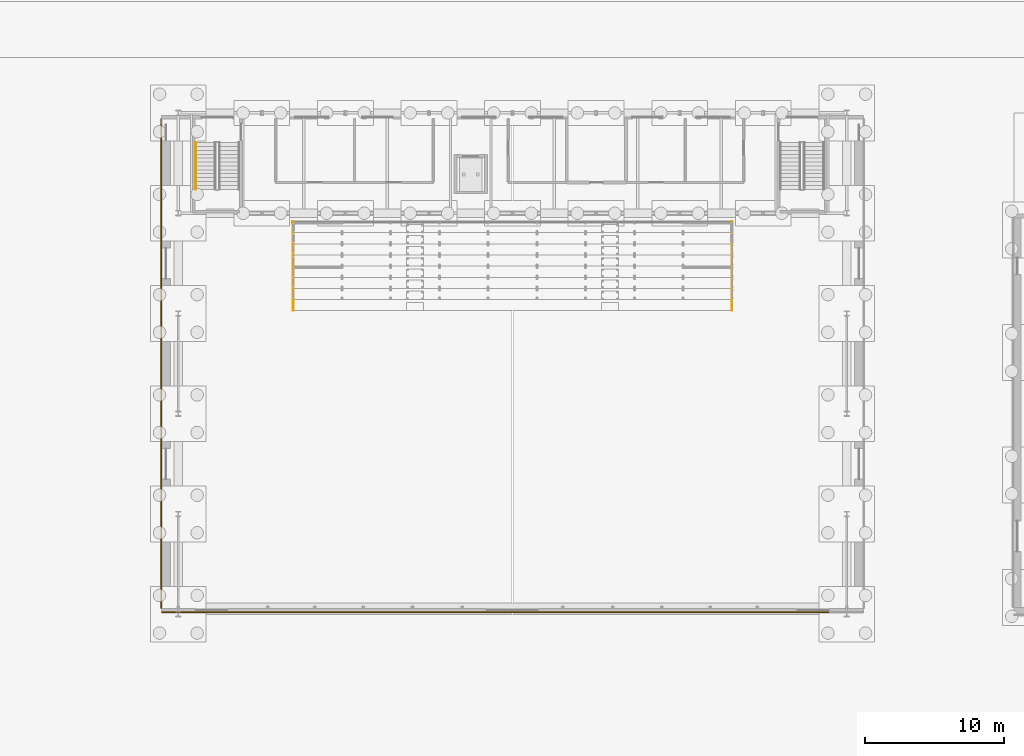
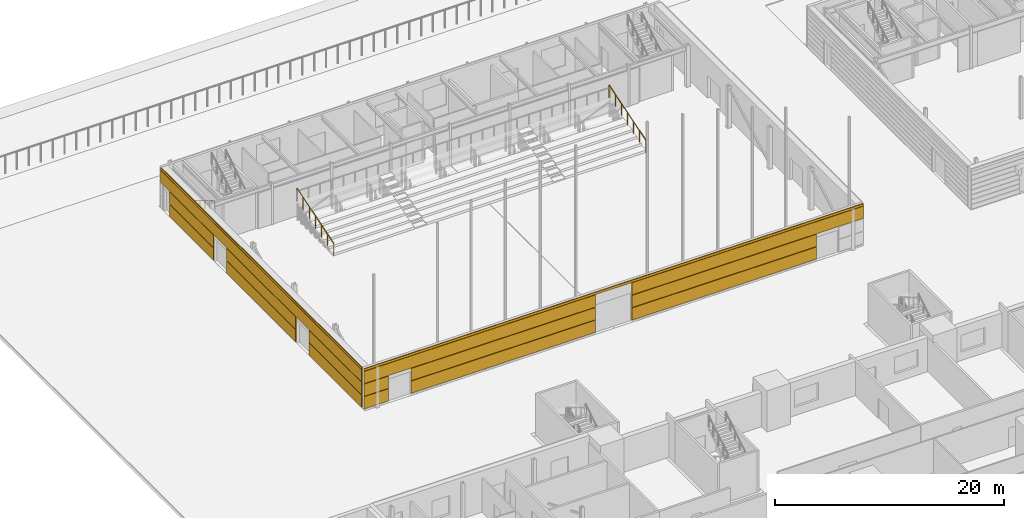
# One storey, part 122 of 139: 17 coverings, 3 railings.
"""IFC4 building model written with IfcOpenShell, lengths in metres."""

from ifc_helpers import new_model, si_unit, direction, frame, origin, origin_2d, place, context, subcontext, project, spatial, rectangle, circle, extrude, material, layer, layer_set, type_object, element, save


model = new_model("IFC4")

# Units and contexts
model_context = context("Model", 3, precision=1e-05, world=origin(), true_north=direction((0.0, 1.0)))
body_context = subcontext(model_context, "Body", "Model", "MODEL_VIEW")
ifc_project = project(units=[si_unit("LENGTHUNIT", "METRE"), si_unit("AREAUNIT", "SQUARE_METRE"), si_unit("VOLUMEUNIT", "CUBIC_METRE"), si_unit("PLANEANGLEUNIT", "RADIAN"), si_unit("MASSUNIT", "GRAM", prefix="KILO")], contexts=[model_context])

# Site, building, storey
site_placement = place(None, origin())
site = spatial("IfcSite", under=ifc_project, at=site_placement, CompositionType="ELEMENT")
building_placement = place(site_placement, origin())
building = spatial("IfcBuilding", under=site, at=building_placement, Name="Verrick Yard Athletic Hall", CompositionType="ELEMENT")
storey_placement = place(building_placement, origin())
storey = spatial("IfcBuildingStorey", under=building, at=storey_placement, Name="L00", CompositionType="ELEMENT", Elevation=0.0)

# Railings
ifc_material_1 = material(Name="Stainless steel 316", Category="steel")
railing_type_1 = type_object("IfcRailingType", Name="HB seating guard 1100", PredefinedType="GUARDRAIL", material=ifc_material_1)
for number, where, name in (
    (1, (36.25, 93.800048828125, 0.0), "HB-GD-RSB1-w"),
    (2, (67.75, 93.800048828125, 0.0), "HB-GD-RSB1-e"),
):
    element("IfcRailing", number, at=place(storey_placement, frame(where)), inside=storey, type_object=railing_type_1, Name=name, PredefinedType="GUARDRAIL", context=body_context, shape_type="SweptSolid", body=[
        extrude(circle(Radius=0.02392578125, at=origin_2d()), frame((0.0, 0.0, 1.326171875), z_axis=(0.0, 0.95447868226, 0.298279139585), x_axis=(-1.0, 0.0, 0.0)), (0.0, 0.0, 1.0), 6.705078125),
        extrude(circle(Radius=0.02099609375, at=origin_2d()), origin(), (0.0, 0.0, 1.0), 1.302001953125),
        extrude(circle(Radius=0.02099609375, at=origin_2d()), frame((0.0, 1.066650390625, 0.333251953125)), (0.0, 0.0, 1.0), 1.302001953125),
        extrude(circle(Radius=0.02099609375, at=origin_2d()), frame((0.0, 2.13330078125, 0.666748046875)), (0.0, 0.0, 1.0), 1.302001953125),
        extrude(circle(Radius=0.02099609375, at=origin_2d()), frame((0.0, 3.199951171875, 1.0)), (0.0, 0.0, 1.0), 1.302001953125),
        extrude(circle(Radius=0.02099609375, at=origin_2d()), frame((0.0, 4.2666015625, 1.333251953125)), (0.0, 0.0, 1.0), 1.302001953125),
        extrude(circle(Radius=0.02099609375, at=origin_2d()), frame((0.0, 5.333251953125, 1.666748046875)), (0.0, 0.0, 1.0), 1.302001953125),
        extrude(circle(Radius=0.02099609375, at=origin_2d()), frame((0.0, 6.39990234375, 2.0)), (0.0, 0.0, 1.0), 1.302001953125),
    ])
ifc_material_2 = material(Name="Stainless steel", Category="steel")
railing_type_2 = type_object("IfcRailingType", Name="Stair handrail 900", PredefinedType="HANDRAIL", material=ifc_material_2)
railing_placement = place(storey_placement, frame((29.25, 105.875, 0.169189453125)))
element("IfcRailing", 3, at=railing_placement, inside=storey, type_object=railing_type_2, Name="L00 Sports Hall B west band stair handrail 1", PredefinedType="HANDRAIL", context=body_context, shape_type="SweptSolid", body=[
    extrude(circle(Radius=0.02392578125, at=origin_2d()), frame((0.0, 0.0, 0.8759765625), z_axis=(0.0, -0.855836976705, 0.517245656632), x_axis=(1.0, 0.0, 0.0)), (0.0, 0.0, 1.0), 3.926025390625),
    extrude(circle(Radius=0.02099609375, at=origin_2d()), origin(), (0.0, 0.0, 1.0), 0.851806640625),
    extrude(circle(Radius=0.02099609375, at=origin_2d()), frame((0.0, -0.840087890625, 0.5078125)), (0.0, 0.0, 1.0), 0.851806640625),
    extrude(circle(Radius=0.02099609375, at=origin_2d()), frame((0.0, -1.68017578125, 1.015380859375)), (0.0, 0.0, 1.0), 0.851806640625),
    extrude(circle(Radius=0.02099609375, at=origin_2d()), frame((0.0, -2.52001953125, 1.52294921875)), (0.0, 0.0, 1.0), 0.851806640625),
    extrude(circle(Radius=0.02099609375, at=origin_2d()), frame((0.0, -3.360107421875, 2.03076171875)), (0.0, 0.0, 1.0), 0.851806640625),
])

# Coverings
ifc_material_3 = material(Name="Tyndall-stone-look precast cladding", Category="masonry")
ifc_layer_1 = layer(ifc_material_3, 0.125)
ifc_layer_set_1 = layer_set([ifc_layer_1], Name="Stone cladding")
covering_type_1 = type_object("IfcCoveringType", Name="Stone cladding", PredefinedType="CLADDING", material=ifc_layer_set_1)
covering_1_placement = place(storey_placement, frame((26.762451171875, 77.03466796875, 0.125), z_axis=(0.0, 0.0, 1.0), x_axis=(0.0, 1.0, 0.0)))
element("IfcCovering", 4, at=covering_1_placement, inside=storey, type_object=covering_type_1, Name="Hall base rustication", PredefinedType="CLADDING", context=body_context, shape_type="SweptSolid", body=[
    extrude(rectangle(XDim=9.232421875, YDim=0.074951171875, at=origin_2d()), origin(), (0.0, 0.0, 1.0), 1.300048828125),
])
covering_2_placement = place(storey_placement, frame((26.762451171875, 90.0009765625, 0.125), z_axis=(0.0, 0.0, 1.0), x_axis=(0.0, 1.0, 0.0)))
element("IfcCovering", 5, at=covering_2_placement, inside=storey, type_object=covering_type_1, Name="Hall base rustication", PredefinedType="CLADDING", context=body_context, shape_type="SweptSolid", body=[
    extrude(rectangle(XDim=12.10009765625, YDim=0.074951171875, at=origin_2d()), origin(), (0.0, 0.0, 1.0), 1.300048828125),
])
covering_3_placement = place(storey_placement, frame((26.762451171875, 102.17578125, 0.125), z_axis=(0.0, 0.0, 1.0), x_axis=(0.0, 1.0, 0.0)))
element("IfcCovering", 6, at=covering_3_placement, inside=storey, type_object=covering_type_1, Name="Hall base rustication", PredefinedType="CLADDING", context=body_context, shape_type="SweptSolid", body=[
    extrude(rectangle(XDim=7.64990234375, YDim=0.074951171875, at=origin_2d()), origin(), (0.0, 0.0, 1.0), 1.300048828125),
])
covering_4_placement = place(storey_placement, frame((26.762451171875, 77.03466796875, 1.47509765625), z_axis=(0.0, 0.0, 1.0), x_axis=(0.0, 1.0, 0.0)))
element("IfcCovering", 7, at=covering_4_placement, inside=storey, type_object=covering_type_1, Name="Hall base rustication", PredefinedType="CLADDING", context=body_context, shape_type="SweptSolid", body=[
    extrude(rectangle(XDim=9.232421875, YDim=0.074951171875, at=origin_2d()), origin(), (0.0, 0.0, 1.0), 1.300048828125),
])
covering_5_placement = place(storey_placement, frame((26.762451171875, 90.0009765625, 1.47509765625), z_axis=(0.0, 0.0, 1.0), x_axis=(0.0, 1.0, 0.0)))
element("IfcCovering", 8, at=covering_5_placement, inside=storey, type_object=covering_type_1, Name="Hall base rustication", PredefinedType="CLADDING", context=body_context, shape_type="SweptSolid", body=[
    extrude(rectangle(XDim=12.10009765625, YDim=0.074951171875, at=origin_2d()), origin(), (0.0, 0.0, 1.0), 1.300048828125),
])
covering_6_placement = place(storey_placement, frame((26.762451171875, 102.17578125, 1.47509765625), z_axis=(0.0, 0.0, 1.0), x_axis=(0.0, 1.0, 0.0)))
element("IfcCovering", 9, at=covering_6_placement, inside=storey, type_object=covering_type_1, Name="Hall base rustication", PredefinedType="CLADDING", context=body_context, shape_type="SweptSolid", body=[
    extrude(rectangle(XDim=7.64990234375, YDim=0.074951171875, at=origin_2d()), origin(), (0.0, 0.0, 1.0), 1.300048828125),
])
covering_7_placement = place(storey_placement, frame((26.762451171875, 90.0, 2.8251953125), z_axis=(0.0, 0.0, 1.0), x_axis=(0.0, 1.0, 0.0)))
element("IfcCovering", 10, at=covering_7_placement, inside=storey, type_object=covering_type_1, Name="Hall base rustication", PredefinedType="CLADDING", context=body_context, shape_type="SweptSolid", body=[
    extrude(rectangle(XDim=35.163330078125, YDim=0.074951171875, at=origin_2d()), origin(), (0.0, 0.0, 1.0), 1.300048828125),
])
covering_8_placement = place(storey_placement, frame((28.02490234375, 72.146484375, 0.125), z_axis=(0.0, 0.0, 1.0), x_axis=(1.0, 0.0, 0.0)))
element("IfcCovering", 11, at=covering_8_placement, inside=storey, type_object=covering_type_1, Name="Hall front rustication", PredefinedType="CLADDING", context=body_context, shape_type="SweptSolid", body=[
    extrude(rectangle(XDim=2.449951171875, YDim=0.074951171875, at=origin_2d()), origin(), (0.0, 0.0, 1.0), 1.300048828125),
])
for number, where, z_axis, x_axis, name in (
    (12, (40.85009765625, 72.146484375, 0.125), (0.0, 0.0, 1.0), (1.0, 0.0, 0.0), "Hall front rustication"),
    (13, (63.14990234375, 72.146484375, 0.125), (0.0, 0.0, 1.0), (1.0, 0.0, 0.0), "Hall front rustication"),
):
    element("IfcCovering", number, at=place(storey_placement, frame(where, z_axis=z_axis, x_axis=x_axis)), inside=storey, type_object=covering_type_1, Name=name, PredefinedType="CLADDING", context=body_context, shape_type="SweptSolid", body=[
        extrude(rectangle(XDim=18.60009765625, YDim=0.074951171875, at=origin_2d()), origin(), (0.0, 0.0, 1.0), 1.300048828125),
    ])
covering_9_placement = place(storey_placement, frame((28.02490234375, 72.146484375, 1.47509765625), z_axis=(0.0, 0.0, 1.0), x_axis=(1.0, 0.0, 0.0)))
element("IfcCovering", 14, at=covering_9_placement, inside=storey, type_object=covering_type_1, Name="Hall front rustication", PredefinedType="CLADDING", context=body_context, shape_type="SweptSolid", body=[
    extrude(rectangle(XDim=2.449951171875, YDim=0.074951171875, at=origin_2d()), origin(), (0.0, 0.0, 1.0), 1.300048828125),
])
for number, where, z_axis, x_axis, name in (
    (15, (40.85009765625, 72.146484375, 1.47509765625), (0.0, 0.0, 1.0), (1.0, 0.0, 0.0), "Hall front rustication"),
    (16, (63.14990234375, 72.146484375, 1.47509765625), (0.0, 0.0, 1.0), (1.0, 0.0, 0.0), "Hall front rustication"),
):
    element("IfcCovering", number, at=place(storey_placement, frame(where, z_axis=z_axis, x_axis=x_axis)), inside=storey, type_object=covering_type_1, Name=name, PredefinedType="CLADDING", context=body_context, shape_type="SweptSolid", body=[
        extrude(rectangle(XDim=18.60009765625, YDim=0.074951171875, at=origin_2d()), origin(), (0.0, 0.0, 1.0), 1.300048828125),
    ])
for number, where, z_axis, x_axis, name in (
    (17, (38.47509765625, 72.146484375, 2.8251953125), (0.0, 0.0, 1.0), (1.0, 0.0, 0.0), "Hall front rustication"),
    (18, (65.52490234375, 72.146484375, 2.8251953125), (0.0, 0.0, 1.0), (1.0, 0.0, 0.0), "Hall front rustication"),
):
    element("IfcCovering", number, at=place(storey_placement, frame(where, z_axis=z_axis, x_axis=x_axis)), inside=storey, type_object=covering_type_1, Name=name, PredefinedType="CLADDING", context=body_context, shape_type="SweptSolid", body=[
        extrude(rectangle(XDim=23.35009765625, YDim=0.074951171875, at=origin_2d()), origin(), (0.0, 0.0, 1.0), 1.300048828125),
    ])
ifc_layer_2 = layer(ifc_material_3, 0.25)
ifc_layer_set_2 = layer_set([ifc_layer_2], Name="Stone moulding")
covering_type_2 = type_object("IfcCoveringType", Name="Stone moulding", PredefinedType="MOLDING", material=ifc_layer_set_2)
covering_10_placement = place(storey_placement, frame((26.762451171875, 90.0, 4.14990234375), z_axis=(0.0, 0.0, 1.0), x_axis=(0.0, 1.0, 0.0)))
element("IfcCovering", 19, at=covering_10_placement, inside=storey, type_object=covering_type_2, Name="String course", PredefinedType="MOLDING", context=body_context, shape_type="SweptSolid", body=[
    extrude(rectangle(XDim=35.163330078125, YDim=0.074951171875, at=origin_2d()), origin(), (0.0, 0.0, 1.0), 0.25),
])
covering_11_placement = place(storey_placement, frame((52.0, 72.146484375, 4.14990234375), z_axis=(0.0, 0.0, 1.0), x_axis=(1.0, 0.0, 0.0)))
element("IfcCovering", 20, at=covering_11_placement, inside=storey, type_object=covering_type_2, Name="String course", PredefinedType="MOLDING", context=body_context, shape_type="SweptSolid", body=[
    extrude(rectangle(XDim=50.39990234375, YDim=0.074951171875, at=origin_2d()), origin(), (0.0, 0.0, 1.0), 0.25),
])

save(model, "model.ifc")
